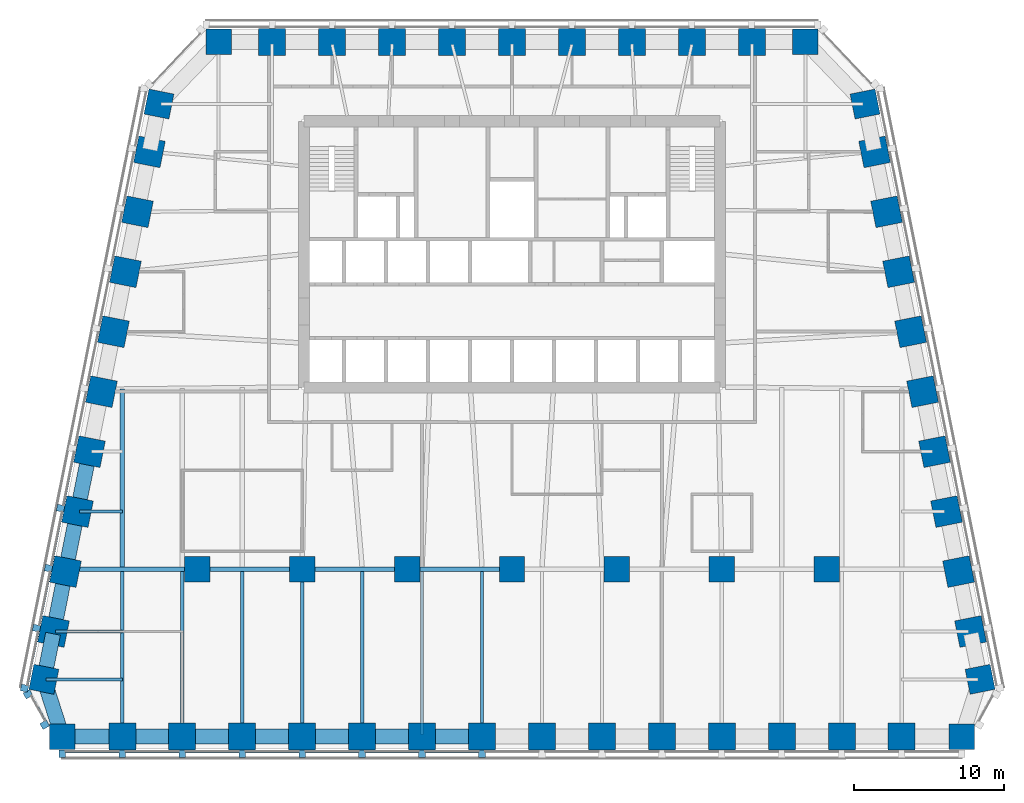
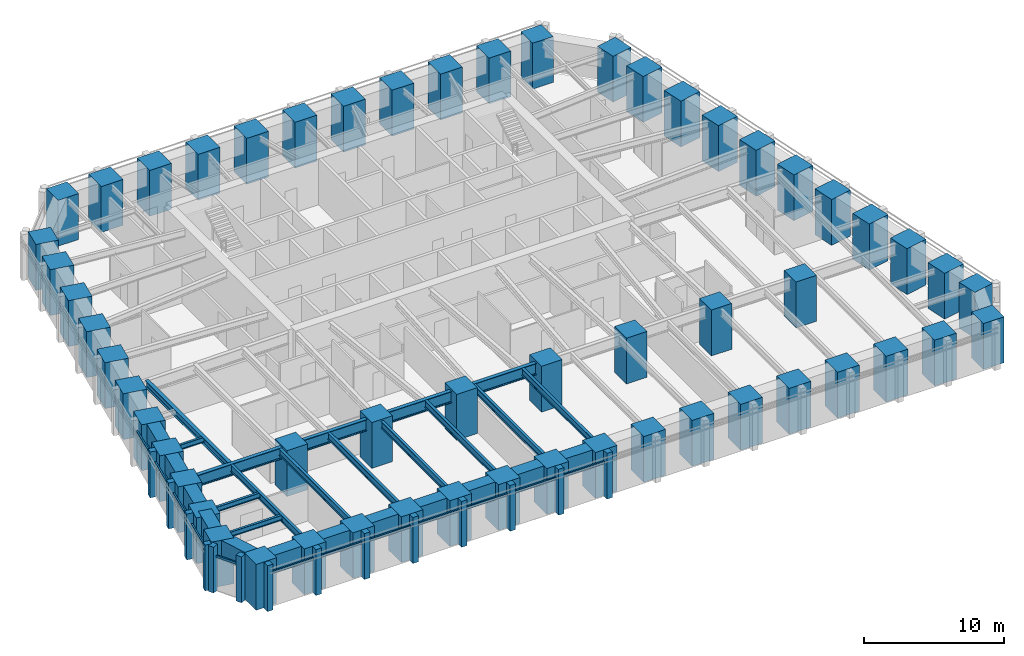
# One storey, part 1 of 10: 56 columns, 27 beams, 26 members, 3 elements without a shape of their own.
"""IFC4 building model written with IfcOpenShell, lengths in metres."""

from ifc_helpers import new_model, si_unit, direction, frame, origin, origin_2d, place, context, subcontext, project, spatial, rectangle, i_section, extrude, material, material_profile, profile_set, type_object, element, aggregate, save


model = new_model("IFC4")

# Units and contexts
model_context = context("Model", 3, precision=1e-05, world=origin(), true_north=direction((0.0, 1.0)))
body_context = subcontext(model_context, "Body", "Model", "MODEL_VIEW")
ifc_project = project(units=[si_unit("LENGTHUNIT", "METRE"), si_unit("AREAUNIT", "SQUARE_METRE"), si_unit("VOLUMEUNIT", "CUBIC_METRE"), si_unit("PLANEANGLEUNIT", "RADIAN"), si_unit("MASSUNIT", "GRAM", prefix="KILO")], contexts=[model_context])

# Site, building, storey
site_placement = place(None, origin())
site = spatial("IfcSite", under=ifc_project, at=site_placement, CompositionType="ELEMENT")
building_placement = place(site_placement, origin())
building = spatial("IfcBuilding", under=site, at=building_placement, Name="Isbrekke Arena Tower", CompositionType="ELEMENT")
storey_placement = place(building_placement, frame((0.0, 0.0, 155.0)))
storey = spatial("IfcBuildingStorey", under=building, at=storey_placement, Name="L35", CompositionType="ELEMENT", Elevation=155.0)

# Columns
ifc_material_1 = material(Name="Concrete B80 (C80/95)", Category="concrete")
ifc_material_profile_1 = material_profile(ifc_material_1, rectangle(XDim=1.699951171875, YDim=1.699951171875, at=origin_2d()), Name="RC 1700x1700")
ifc_profile_set_1 = profile_set([ifc_material_profile_1], Name="Concrete B80 (C80/95)")
column_type_1 = type_object("IfcColumnType", Name="C12 RC 1700 x 1700", PredefinedType="COLUMN", material=ifc_profile_set_1)
for number, where, z_axis, x_axis, name in (
    (1, (-21.0, -6.0, 0.0), (0.0, 0.0, 1.0), (1.0, 0.0, 0.0), "C12 I01"),
    (2, (-14.0, -6.0, 0.0), (0.0, 0.0, 1.0), (1.0, 0.0, 0.0), "C12 I02"),
    (3, (-7.0, -6.0, 0.0), (0.0, 0.0, 1.0), (1.0, 0.0, 0.0), "C12 I03"),
    (4, (0.0, -6.0, 0.0), (0.0, 0.0, 1.0), (1.0, 0.0, 0.0), "C12 I04"),
    (5, (7.0, -6.0, 0.0), (0.0, 0.0, 1.0), (1.0, 0.0, 0.0), "C12 I05"),
    (6, (14.0, -6.0, 0.0), (0.0, 0.0, 1.0), (1.0, 0.0, 0.0), "C12 I06"),
    (7, (21.0, -6.0, 0.0), (0.0, 0.0, 1.0), (1.0, 0.0, 0.0), "C12 I07"),
):
    element("IfcColumn", number, at=place(storey_placement, frame(where, z_axis=z_axis, x_axis=x_axis)), inside=storey, type_object=column_type_1, Name=name, PredefinedType="COLUMN", context=body_context, shape_type="SweptSolid", body=[
        extrude(rectangle(XDim=1.699951171875, YDim=1.699951171875, at=origin_2d()), origin(), (0.0, 0.0, 1.0), 4.0),
    ])
ifc_material_2 = material(Name="Concrete B80 (C80/95)", Category="concrete")
ifc_material_profile_2 = material_profile(ifc_material_2, rectangle(XDim=1.800048828125, YDim=1.800048828125, at=origin_2d()), Name="RC 1800x1800")
ifc_profile_set_2 = profile_set([ifc_material_profile_2], Name="Concrete B80 (C80/95)")
column_type_2 = type_object("IfcColumnType", Name="C3 RC 1800 x 1800", PredefinedType="COLUMN", material=ifc_profile_set_2)
for number, where, z_axis, x_axis, name in (
    (8, (-26.0, -17.175048828125, 0.0), (0.0, 0.0, 1.0), (1.0, 0.0, 0.0), "C3 S02"),
    (9, (-22.0, -17.175048828125, 0.0), (0.0, 0.0, 1.0), (1.0, 0.0, 0.0), "C3 S03"),
    (10, (-18.0, -17.175048828125, 0.0), (0.0, 0.0, 1.0), (1.0, 0.0, 0.0), "C3 S04"),
    (11, (-14.0, -17.175048828125, 0.0), (0.0, 0.0, 1.0), (1.0, 0.0, 0.0), "C3 S05"),
    (12, (-10.0, -17.175048828125, 0.0), (0.0, 0.0, 1.0), (1.0, 0.0, 0.0), "C3 S06"),
    (13, (-6.0, -17.175048828125, 0.0), (0.0, 0.0, 1.0), (1.0, 0.0, 0.0), "C3 S07"),
    (14, (-2.0, -17.175048828125, 0.0), (0.0, 0.0, 1.0), (1.0, 0.0, 0.0), "C3 S08"),
    (15, (2.0, -17.175048828125, 0.0), (0.0, 0.0, 1.0), (1.0, 0.0, 0.0), "C3 S09"),
    (16, (6.0, -17.175048828125, 0.0), (0.0, 0.0, 1.0), (1.0, 0.0, 0.0), "C3 S10"),
    (17, (10.0, -17.175048828125, 0.0), (0.0, 0.0, 1.0), (1.0, 0.0, 0.0), "C3 S11"),
    (18, (14.0, -17.175048828125, 0.0), (0.0, 0.0, 1.0), (1.0, 0.0, 0.0), "C3 S12"),
    (19, (18.0, -17.175048828125, 0.0), (0.0, 0.0, 1.0), (1.0, 0.0, 0.0), "C3 S13"),
    (20, (22.0, -17.175048828125, 0.0), (0.0, 0.0, 1.0), (1.0, 0.0, 0.0), "C3 S14"),
    (21, (26.0, -17.175048828125, 0.0), (0.0, 0.0, 1.0), (1.0, 0.0, 0.0), "C3 S15"),
    (22, (30.591064453125, -10.161865234375, 0.0), (0.0, 0.0, 1.0), (-0.196116135138, 0.980580675691, 0.0), "C3 E02"),
    (23, (29.791015625, -6.161865234375, 0.0), (0.0, 0.0, 1.0), (-0.196116135138, 0.980580675691, 0.0), "C3 E03"),
    (24, (28.990966796875, -2.161865234375, 0.0), (0.0, 0.0, 1.0), (-0.196116135138, 0.980580675691, 0.0), "C3 E04"),
    (25, (28.19091796875, 1.838134765625, 0.0), (0.0, 0.0, 1.0), (-0.196116135138, 0.980580675691, 0.0), "C3 E05"),
    (26, (27.39111328125, 5.838134765625, 0.0), (0.0, 0.0, 1.0), (-0.196116135138, 0.980580675691, 0.0), "C3 E06"),
    (27, (26.591064453125, 9.838134765625, 0.0), (0.0, 0.0, 1.0), (-0.196116135138, 0.980580675691, 0.0), "C3 E07"),
    (28, (25.791015625, 13.838134765625, 0.0), (0.0, 0.0, 1.0), (-0.196116135138, 0.980580675691, 0.0), "C3 E08"),
    (29, (24.990966796875, 17.838134765625, 0.0), (0.0, 0.0, 1.0), (-0.196116135138, 0.980580675691, 0.0), "C3 E09"),
    (30, (24.19091796875, 21.838134765625, 0.0), (0.0, 0.0, 1.0), (-0.196116135138, 0.980580675691, 0.0), "C3 E10"),
    (31, (16.0, 29.175048828125, 0.0), (0.0, 0.0, 1.0), (-1.0, 0.0, 0.0), "C3 N02"),
    (32, (12.0, 29.175048828125, 0.0), (0.0, 0.0, 1.0), (-1.0, 0.0, 0.0), "C3 N03"),
    (33, (8.0, 29.175048828125, 0.0), (0.0, 0.0, 1.0), (-1.0, 0.0, 0.0), "C3 N04"),
    (34, (4.0, 29.175048828125, 0.0), (0.0, 0.0, 1.0), (-1.0, 0.0, 0.0), "C3 N05"),
    (35, (0.0, 29.175048828125, 0.0), (0.0, 0.0, 1.0), (-1.0, 0.0, 0.0), "C3 N06"),
    (36, (-4.0, 29.175048828125, 0.0), (0.0, 0.0, 1.0), (-1.0, 0.0, 0.0), "C3 N07"),
    (37, (-8.0, 29.175048828125, 0.0), (0.0, 0.0, 1.0), (-1.0, 0.0, 0.0), "C3 N08"),
    (38, (-12.0, 29.175048828125, 0.0), (0.0, 0.0, 1.0), (-1.0, 0.0, 0.0), "C3 N09"),
    (39, (-16.0, 29.175048828125, 0.0), (0.0, 0.0, 1.0), (-1.0, 0.0, 0.0), "C3 N10"),
    (40, (-24.19091796875, 21.838134765625, 0.0), (0.0, 0.0, 1.0), (-0.196116135138, -0.980580675691, 0.0), "C3 W02"),
    (41, (-24.990966796875, 17.838134765625, 0.0), (0.0, 0.0, 1.0), (-0.196116135138, -0.980580675691, 0.0), "C3 W03"),
    (42, (-25.791015625, 13.838134765625, 0.0), (0.0, 0.0, 1.0), (-0.196116135138, -0.980580675691, 0.0), "C3 W04"),
    (43, (-26.591064453125, 9.838134765625, 0.0), (0.0, 0.0, 1.0), (-0.196116135138, -0.980580675691, 0.0), "C3 W05"),
    (44, (-27.39111328125, 5.838134765625, 0.0), (0.0, 0.0, 1.0), (-0.196116135138, -0.980580675691, 0.0), "C3 W06"),
    (45, (-28.19091796875, 1.838134765625, 0.0), (0.0, 0.0, 1.0), (-0.196116135138, -0.980580675691, 0.0), "C3 W07"),
    (46, (-28.990966796875, -2.161865234375, 0.0), (0.0, 0.0, 1.0), (-0.196116135138, -0.980580675691, 0.0), "C3 W08"),
    (47, (-29.791015625, -6.161865234375, 0.0), (0.0, 0.0, 1.0), (-0.196116135138, -0.980580675691, 0.0), "C3 W09"),
    (48, (-30.591064453125, -10.161865234375, 0.0), (0.0, 0.0, 1.0), (-0.196116135138, -0.980580675691, 0.0), "C3 W10"),
):
    element("IfcColumn", number, at=place(storey_placement, frame(where, z_axis=z_axis, x_axis=x_axis)), inside=storey, type_object=column_type_2, Name=name, PredefinedType="COLUMN", context=body_context, shape_type="SweptSolid", body=[
        extrude(rectangle(XDim=1.800048828125, YDim=1.800048828125, at=origin_2d()), origin(), (0.0, 0.0, 1.0), 4.0),
    ])
ifc_material_3 = material(Name="Concrete B80 (C80/95)", Category="concrete")
ifc_material_profile_3 = material_profile(ifc_material_3, rectangle(XDim=1.699951171875, YDim=1.699951171875, at=origin_2d()), Name="RC 1700x1700")
ifc_profile_set_3 = profile_set([ifc_material_profile_3], Name="Concrete B80 (C80/95)")
column_type_3 = type_object("IfcColumnType", Name="C7 RC 1700 x 1700", PredefinedType="COLUMN", material=ifc_profile_set_3)
for number, where, z_axis, x_axis, name in (
    (49, (-30.0, -17.175048828125, 0.0), (0.0, 0.0, 1.0), (1.0, 0.0, 0.0), "C7 S01"),
    (50, (30.0, -17.175048828125, 0.0), (0.0, 0.0, 1.0), (1.0, 0.0, 0.0), "C7 S16"),
    (51, (31.229248046875, -13.352783203125, 0.0), (0.0, 0.0, 1.0), (-0.196116135138, 0.980580675691, 0.0), "C7 E01"),
    (52, (23.552734375, 25.029296875, 0.0), (0.0, 0.0, 1.0), (-0.196116135138, 0.980580675691, 0.0), "C7 E11"),
    (53, (19.574951171875, 29.175048828125, 0.0), (0.0, 0.0, 1.0), (-1.0, 0.0, 0.0), "C7 N01"),
    (54, (-19.574951171875, 29.175048828125, 0.0), (0.0, 0.0, 1.0), (-1.0, 0.0, 0.0), "C7 N11"),
    (55, (-23.552734375, 25.029296875, 0.0), (0.0, 0.0, 1.0), (-0.196116135138, -0.980580675691, 0.0), "C7 W01"),
    (56, (-31.229248046875, -13.352783203125, 0.0), (0.0, 0.0, 1.0), (-0.196116135138, -0.980580675691, 0.0), "C7 W11"),
):
    element("IfcColumn", number, at=place(storey_placement, frame(where, z_axis=z_axis, x_axis=x_axis)), inside=storey, type_object=column_type_3, Name=name, PredefinedType="COLUMN", context=body_context, shape_type="SweptSolid", body=[
        extrude(rectangle(XDim=1.699951171875, YDim=1.699951171875, at=origin_2d()), origin(), (0.0, 0.0, 1.0), 4.0),
    ])

# Beams
ifc_material_4 = material(Name="Steel S355", Category="steel")
ifc_material_profile_4 = material_profile(ifc_material_4, i_section(OverallWidth=0.219970703125, OverallDepth=0.60009765625, WebThickness=0.011962890625, FlangeThickness=0.01904296875, FilletRadius=0.02392578125, at=origin_2d()), Name="IPE 600")
ifc_profile_set_4 = profile_set([ifc_material_profile_4], Name="Steel S355")
beam_type_1 = type_object("IfcBeamType", Name="B1 IPE 600", PredefinedType="BEAM", material=ifc_profile_set_4)
for number, where, z_axis, x_axis, name in (
    (57, (-26.0, -17.02490234375, 3.550048828125), (0.0, 1.0, 0.0), (-1.0, 0.0, 0.0), "B1 beam S-S02 L35"),
    (58, (-22.0, -17.02490234375, 3.550048828125), (0.0, 1.0, 0.0), (-1.0, 0.0, 0.0), "B1 beam S-S03 L35"),
    (59, (-18.0, -17.02490234375, 3.550048828125), (0.0, 1.0, 0.0), (-1.0, 0.0, 0.0), "B1 beam S-S04 L35"),
):
    element("IfcBeam", number, at=place(storey_placement, frame(where, z_axis=z_axis, x_axis=x_axis)), inside=storey, type_object=beam_type_1, Name=name, PredefinedType="BEAM", context=body_context, shape_type="SweptSolid", body=[
        extrude(i_section(OverallWidth=0.219970703125, OverallDepth=0.60009765625, WebThickness=0.011962890625, FlangeThickness=0.01904296875, FilletRadius=0.02392578125, at=origin_2d()), origin(), (0.0, 0.0, 1.0), 10.8740234375),
    ])
beam_1_placement = place(storey_placement, frame((-14.0, -17.02490234375, 3.550048828125), z_axis=(0.0, 1.0, 0.0), x_axis=(-1.0, 0.0, 0.0)))
element("IfcBeam", 60, at=beam_1_placement, inside=storey, type_object=beam_type_1, Name="B1 beam S-S05 L35", PredefinedType="BEAM", context=body_context, shape_type="SweptSolid", body=[
    extrude(i_section(OverallWidth=0.219970703125, OverallDepth=0.60009765625, WebThickness=0.011962890625, FlangeThickness=0.01904296875, FilletRadius=0.02392578125, at=origin_2d()), origin(), (0.0, 0.0, 1.0), 10.875),
])
for number, where, z_axis, x_axis, name in (
    (61, (-10.0, -17.02490234375, 3.550048828125), (0.0, 1.0, 0.0), (-1.0, 0.0, 0.0), "B1 beam S-S06 L35"),
    (62, (-6.0, -17.02490234375, 3.550048828125), (0.0, 1.0, 0.0), (-1.0, 0.0, 0.0), "B1 beam S-S07 L35"),
    (63, (-2.0, -17.02490234375, 3.550048828125), (0.0, 1.0, 0.0), (-1.0, 0.0, 0.0), "B1 beam S-S08 L35"),
):
    element("IfcBeam", number, at=place(storey_placement, frame(where, z_axis=z_axis, x_axis=x_axis)), inside=storey, type_object=beam_type_1, Name=name, PredefinedType="BEAM", context=body_context, shape_type="SweptSolid", body=[
        extrude(i_section(OverallWidth=0.219970703125, OverallDepth=0.60009765625, WebThickness=0.011962890625, FlangeThickness=0.01904296875, FilletRadius=0.02392578125, at=origin_2d()), origin(), (0.0, 0.0, 1.0), 10.8740234375),
    ])
ifc_material_5 = material(Name="Steel S355", Category="steel")
ifc_material_profile_5 = material_profile(ifc_material_5, i_section(OverallWidth=0.18994140625, OverallDepth=0.449951171875, WebThickness=0.009521484375, FlangeThickness=0.0146484375, FilletRadius=0.02099609375, at=origin_2d()), Name="IPE 450")
ifc_profile_set_5 = profile_set([ifc_material_profile_5], Name="Steel S355")
beam_type_2 = type_object("IfcBeamType", Name="B2 IPE 450", PredefinedType="BEAM", material=ifc_profile_set_5)
beam_2_placement = place(storey_placement, frame((-28.841064453125, -2.161865234375, 3.625), z_axis=(1.0, 0.0, 0.0), x_axis=(0.0, 1.0, 0.0)))
element("IfcBeam", 64, at=beam_2_placement, inside=storey, type_object=beam_type_2, Name="B2 beam E-W08 L35", PredefinedType="BEAM", context=body_context, shape_type="SweptSolid", body=[
    extrude(i_section(OverallWidth=0.18994140625, OverallDepth=0.449951171875, WebThickness=0.009521484375, FlangeThickness=0.0146484375, FilletRadius=0.02099609375, at=origin_2d()), origin(), (0.0, 0.0, 1.0), 2.841064453125),
])
beam_3_placement = place(storey_placement, frame((-30.44091796875, -10.161865234375, 3.625), z_axis=(1.0, 0.0, 0.0), x_axis=(0.0, 1.0, 0.0)))
element("IfcBeam", 65, at=beam_3_placement, inside=storey, type_object=beam_type_2, Name="B2 beam E-W10 L35", PredefinedType="BEAM", context=body_context, shape_type="SweptSolid", body=[
    extrude(i_section(OverallWidth=0.18994140625, OverallDepth=0.449951171875, WebThickness=0.009521484375, FlangeThickness=0.0146484375, FilletRadius=0.02099609375, at=origin_2d()), origin(), (0.0, 0.0, 1.0), 4.44091796875),
])
beam_4_placement = place(storey_placement, frame((-31.079345703125, -13.352783203125, 3.625), z_axis=(1.0, 0.0, 0.0), x_axis=(0.0, 1.0, 0.0)))
element("IfcBeam", 66, at=beam_4_placement, inside=storey, type_object=beam_type_2, Name="B2 beam E-W11 L35", PredefinedType="BEAM", context=body_context, shape_type="SweptSolid", body=[
    extrude(i_section(OverallWidth=0.18994140625, OverallDepth=0.449951171875, WebThickness=0.009521484375, FlangeThickness=0.0146484375, FilletRadius=0.02099609375, at=origin_2d()), origin(), (0.0, 0.0, 1.0), 5.079345703125),
])
ifc_material_6 = material(Name="Steel S355", Category="steel")
ifc_material_profile_6 = material_profile(ifc_material_6, i_section(OverallWidth=0.300048828125, OverallDepth=0.60009765625, WebThickness=0.015380859375, FlangeThickness=0.030029296875, FilletRadius=0.027099609375, at=origin_2d()), Name="HEB 600")
ifc_profile_set_6 = profile_set([ifc_material_profile_6], Name="Steel S355")
beam_type_3 = type_object("IfcBeamType", Name="B7 HEB 600", PredefinedType="BEAM", material=ifc_profile_set_6)
beam_5_placement = place(storey_placement, frame((-26.0, -5.84912109375, 3.550048828125), z_axis=(0.0, 1.0, 0.0), x_axis=(-1.0, 0.0, 0.0)))
element("IfcBeam", 67, at=beam_5_placement, inside=storey, type_object=beam_type_3, Name="B7 beam C-M01 L35", PredefinedType="BEAM", context=body_context, shape_type="SweptSolid", body=[
    extrude(i_section(OverallWidth=0.300048828125, OverallDepth=0.60009765625, WebThickness=0.015380859375, FlangeThickness=0.030029296875, FilletRadius=0.027099609375, at=origin_2d()), origin(), (0.0, 0.0, 1.0), 11.864990234375),
])

# Curtain wall, members
ifc_material_7 = material(Name="Glazed aluminium curtain wall", Category="aluminium")
curtain_wall_type = type_object("IfcCurtainWallType", Name="CWM TOWER CURTAIN WALL MID ZONE", PredefinedType="USERDEFINED", material=ifc_material_7)
curtain_wall_1_placement = place(storey_placement, origin())
curtain_wall_1 = element("IfcCurtainWall", 68, at=curtain_wall_1_placement, inside=storey, type_object=curtain_wall_type, Name="CWM curtain wall L35-S", ObjectType="TOWER CURTAIN WALL MID ZONE", PredefinedType="USERDEFINED")
ifc_material_8 = material(Name="Aluminium mullion, pale brick slip cladding", Category="masonry")
ifc_material_profile_7 = material_profile(ifc_material_8, rectangle(XDim=0.449951171875, YDim=0.5, at=origin_2d()), Name="PIER 450X500")
ifc_profile_set_7 = profile_set([ifc_material_profile_7], Name="Aluminium mullion, pale brick slip cladding")
member_type_1 = type_object("IfcMemberType", Name="CWM-M PIER MULLION 450 x 500", PredefinedType="MULLION", material=ifc_profile_set_7)
member_1_placement = place(storey_placement, frame((-30.0, -18.324951171875, 0.0), z_axis=(0.0, 0.0, 1.0), x_axis=(1.0, 0.0, 0.0)))
member_1 = element("IfcMember", 69, at=member_1_placement, type_object=member_type_1, Name="CWM-M mullion 1", PredefinedType="MULLION", context=body_context, shape_type="SweptSolid", body=[
    extrude(rectangle(XDim=0.449951171875, YDim=0.5, at=origin_2d()), origin(), (0.0, 0.0, 1.0), 4.0),
])
member_2_placement = place(storey_placement, frame((-26.0, -18.324951171875, 0.0), z_axis=(0.0, 0.0, 1.0), x_axis=(1.0, 0.0, 0.0)))
member_2 = element("IfcMember", 70, at=member_2_placement, type_object=member_type_1, Name="CWM-M mullion 2", PredefinedType="MULLION", context=body_context, shape_type="SweptSolid", body=[
    extrude(rectangle(XDim=0.449951171875, YDim=0.5, at=origin_2d()), origin(), (0.0, 0.0, 1.0), 4.0),
])
member_3_placement = place(storey_placement, frame((-22.0, -18.324951171875, 0.0), z_axis=(0.0, 0.0, 1.0), x_axis=(1.0, 0.0, 0.0)))
member_3 = element("IfcMember", 71, at=member_3_placement, type_object=member_type_1, Name="CWM-M mullion 3", PredefinedType="MULLION", context=body_context, shape_type="SweptSolid", body=[
    extrude(rectangle(XDim=0.449951171875, YDim=0.5, at=origin_2d()), origin(), (0.0, 0.0, 1.0), 4.0),
])
member_4_placement = place(storey_placement, frame((-18.0, -18.324951171875, 0.0), z_axis=(0.0, 0.0, 1.0), x_axis=(1.0, 0.0, 0.0)))
member_4 = element("IfcMember", 72, at=member_4_placement, type_object=member_type_1, Name="CWM-M mullion 4", PredefinedType="MULLION", context=body_context, shape_type="SweptSolid", body=[
    extrude(rectangle(XDim=0.449951171875, YDim=0.5, at=origin_2d()), origin(), (0.0, 0.0, 1.0), 4.0),
])
member_5_placement = place(storey_placement, frame((-14.0, -18.324951171875, 0.0), z_axis=(0.0, 0.0, 1.0), x_axis=(1.0, 0.0, 0.0)))
member_5 = element("IfcMember", 73, at=member_5_placement, type_object=member_type_1, Name="CWM-M mullion 5", PredefinedType="MULLION", context=body_context, shape_type="SweptSolid", body=[
    extrude(rectangle(XDim=0.449951171875, YDim=0.5, at=origin_2d()), origin(), (0.0, 0.0, 1.0), 4.0),
])
member_6_placement = place(storey_placement, frame((-10.0, -18.324951171875, 0.0), z_axis=(0.0, 0.0, 1.0), x_axis=(1.0, 0.0, 0.0)))
member_6 = element("IfcMember", 74, at=member_6_placement, type_object=member_type_1, Name="CWM-M mullion 6", PredefinedType="MULLION", context=body_context, shape_type="SweptSolid", body=[
    extrude(rectangle(XDim=0.449951171875, YDim=0.5, at=origin_2d()), origin(), (0.0, 0.0, 1.0), 4.0),
])
member_7_placement = place(storey_placement, frame((-6.0, -18.324951171875, 0.0), z_axis=(0.0, 0.0, 1.0), x_axis=(1.0, 0.0, 0.0)))
member_7 = element("IfcMember", 75, at=member_7_placement, type_object=member_type_1, Name="CWM-M mullion 7", PredefinedType="MULLION", context=body_context, shape_type="SweptSolid", body=[
    extrude(rectangle(XDim=0.449951171875, YDim=0.5, at=origin_2d()), origin(), (0.0, 0.0, 1.0), 4.0),
])
member_8_placement = place(storey_placement, frame((-2.0, -18.324951171875, 0.0), z_axis=(0.0, 0.0, 1.0), x_axis=(1.0, 0.0, 0.0)))
member_8 = element("IfcMember", 76, at=member_8_placement, type_object=member_type_1, Name="CWM-M mullion 8", PredefinedType="MULLION", context=body_context, shape_type="SweptSolid", body=[
    extrude(rectangle(XDim=0.449951171875, YDim=0.5, at=origin_2d()), origin(), (0.0, 0.0, 1.0), 4.0),
])

curtain_wall_2_placement = place(storey_placement, origin())
curtain_wall_2 = element("IfcCurtainWall", 77, at=curtain_wall_2_placement, inside=storey, type_object=curtain_wall_type, Name="CWM curtain wall L35-W", ObjectType="TOWER CURTAIN WALL MID ZONE", PredefinedType="USERDEFINED")
member_9_placement = place(storey_placement, frame((-30.11865234375, -1.936279296875, 0.0), z_axis=(0.0, 0.0, 1.0), x_axis=(-0.196116135138, -0.980580675691, 0.0)))
member_9 = element("IfcMember", 78, at=member_9_placement, type_object=member_type_1, Name="CWM-M mullion 8", PredefinedType="MULLION", context=body_context, shape_type="SweptSolid", body=[
    extrude(rectangle(XDim=0.449951171875, YDim=0.5, at=origin_2d()), origin(), (0.0, 0.0, 1.0), 4.0),
])
member_10_placement = place(storey_placement, frame((-30.918701171875, -5.936279296875, 0.0), z_axis=(0.0, 0.0, 1.0), x_axis=(-0.196116135138, -0.980580675691, 0.0)))
member_10 = element("IfcMember", 79, at=member_10_placement, type_object=member_type_1, Name="CWM-M mullion 9", PredefinedType="MULLION", context=body_context, shape_type="SweptSolid", body=[
    extrude(rectangle(XDim=0.449951171875, YDim=0.5, at=origin_2d()), origin(), (0.0, 0.0, 1.0), 4.0),
])
member_11_placement = place(storey_placement, frame((-31.71875, -9.936279296875, 0.0), z_axis=(0.0, 0.0, 1.0), x_axis=(-0.196116135138, -0.980580675691, 0.0)))
member_11 = element("IfcMember", 80, at=member_11_placement, type_object=member_type_1, Name="CWM-M mullion 10", PredefinedType="MULLION", context=body_context, shape_type="SweptSolid", body=[
    extrude(rectangle(XDim=0.449951171875, YDim=0.5, at=origin_2d()), origin(), (0.0, 0.0, 1.0), 4.0),
])
member_12_placement = place(storey_placement, frame((-32.518798828125, -13.936279296875, 0.0), z_axis=(0.0, 0.0, 1.0), x_axis=(-0.196116135138, -0.980580675691, 0.0)))
member_12 = element("IfcMember", 81, at=member_12_placement, type_object=member_type_1, Name="CWM-M mullion 11", PredefinedType="MULLION", context=body_context, shape_type="SweptSolid", body=[
    extrude(rectangle(XDim=0.449951171875, YDim=0.5, at=origin_2d()), origin(), (0.0, 0.0, 1.0), 4.0),
])

curtain_wall_3_placement = place(storey_placement, origin())
curtain_wall_3 = element("IfcCurtainWall", 82, at=curtain_wall_3_placement, inside=storey, type_object=curtain_wall_type, Name="CWM curtain wall L35-WS", ObjectType="TOWER CURTAIN WALL MID ZONE", PredefinedType="USERDEFINED")
member_13_placement = place(storey_placement, frame((-32.29638671875, -14.34326171875, 0.0), z_axis=(0.0, 0.0, 1.0), x_axis=(0.481918749773, -0.876215908676, 0.0)))
member_13 = element("IfcMember", 83, at=member_13_placement, type_object=member_type_1, Name="CWM-M mullion 1", PredefinedType="MULLION", context=body_context, shape_type="SweptSolid", body=[
    extrude(rectangle(XDim=0.449951171875, YDim=0.5, at=origin_2d()), origin(), (0.0, 0.0, 1.0), 4.0),
])
member_14_placement = place(storey_placement, frame((-31.174560546875, -16.38330078125, 0.0), z_axis=(0.0, 0.0, 1.0), x_axis=(0.481918749773, -0.876215908676, 0.0)))
member_14 = element("IfcMember", 84, at=member_14_placement, type_object=member_type_1, Name="CWM-M mullion 2", PredefinedType="MULLION", context=body_context, shape_type="SweptSolid", body=[
    extrude(rectangle(XDim=0.449951171875, YDim=0.5, at=origin_2d()), origin(), (0.0, 0.0, 1.0), 4.0),
])

# Member
ifc_material_9 = material(Name="Aluminium transom", Category="aluminium")
ifc_material_profile_8 = material_profile(ifc_material_9, rectangle(XDim=0.1201171875, YDim=0.199951171875, at=origin_2d()), Name="TRANSOM 120X200")
ifc_profile_set_8 = profile_set([ifc_material_profile_8], Name="Aluminium transom")
member_type_2 = type_object("IfcMemberType", Name="CWM-T TRANSOM 120 x 200", PredefinedType="USERDEFINED", material=ifc_profile_set_8)
member_15_placement = place(storey_placement, frame((-29.77490234375, -18.175048828125, 3.0), z_axis=(1.0, 0.0, 0.0), x_axis=(0.0, 1.0, 0.0)))
member_15 = element("IfcMember", 85, at=member_15_placement, type_object=member_type_2, Name="CWM-T transom 1", ObjectType="TRANSOM", PredefinedType="USERDEFINED", context=body_context, shape_type="SweptSolid", body=[
    extrude(rectangle(XDim=0.1201171875, YDim=0.199951171875, at=origin_2d()), origin(), (0.0, 0.0, 1.0), 3.5498046875),
])

member_16_placement = place(storey_placement, frame((-25.77490234375, -18.175048828125, 3.0), z_axis=(1.0, 0.0, 0.0), x_axis=(0.0, 1.0, 0.0)))
member_16 = element("IfcMember", 86, at=member_16_placement, type_object=member_type_2, Name="CWM-T transom 2", ObjectType="TRANSOM", PredefinedType="USERDEFINED", context=body_context, shape_type="SweptSolid", body=[
    extrude(rectangle(XDim=0.1201171875, YDim=0.199951171875, at=origin_2d()), origin(), (0.0, 0.0, 1.0), 3.5498046875),
])

member_17_placement = place(storey_placement, frame((-21.77490234375, -18.175048828125, 3.0), z_axis=(1.0, 0.0, 0.0), x_axis=(0.0, 1.0, 0.0)))
member_17 = element("IfcMember", 87, at=member_17_placement, type_object=member_type_2, Name="CWM-T transom 3", ObjectType="TRANSOM", PredefinedType="USERDEFINED", context=body_context, shape_type="SweptSolid", body=[
    extrude(rectangle(XDim=0.1201171875, YDim=0.199951171875, at=origin_2d()), origin(), (0.0, 0.0, 1.0), 3.5498046875),
])

member_18_placement = place(storey_placement, frame((-17.77490234375, -18.175048828125, 3.0), z_axis=(1.0, 0.0, 0.0), x_axis=(0.0, 1.0, 0.0)))
member_18 = element("IfcMember", 88, at=member_18_placement, type_object=member_type_2, Name="CWM-T transom 4", ObjectType="TRANSOM", PredefinedType="USERDEFINED", context=body_context, shape_type="SweptSolid", body=[
    extrude(rectangle(XDim=0.1201171875, YDim=0.199951171875, at=origin_2d()), origin(), (0.0, 0.0, 1.0), 3.5498046875),
])

member_19_placement = place(storey_placement, frame((-13.77490234375, -18.175048828125, 3.0), z_axis=(1.0, 0.0, 0.0), x_axis=(0.0, 1.0, 0.0)))
member_19 = element("IfcMember", 89, at=member_19_placement, type_object=member_type_2, Name="CWM-T transom 5", ObjectType="TRANSOM", PredefinedType="USERDEFINED", context=body_context, shape_type="SweptSolid", body=[
    extrude(rectangle(XDim=0.1201171875, YDim=0.199951171875, at=origin_2d()), origin(), (0.0, 0.0, 1.0), 3.5498046875),
])

member_20_placement = place(storey_placement, frame((-9.77490234375, -18.175048828125, 3.0), z_axis=(1.0, 0.0, 0.0), x_axis=(0.0, 1.0, 0.0)))
member_20 = element("IfcMember", 90, at=member_20_placement, type_object=member_type_2, Name="CWM-T transom 6", ObjectType="TRANSOM", PredefinedType="USERDEFINED", context=body_context, shape_type="SweptSolid", body=[
    extrude(rectangle(XDim=0.1201171875, YDim=0.199951171875, at=origin_2d()), origin(), (0.0, 0.0, 1.0), 3.5498046875),
])

member_21_placement = place(storey_placement, frame((-5.77490234375, -18.175048828125, 3.0), z_axis=(1.0, 0.0, 0.0), x_axis=(0.0, 1.0, 0.0)))
member_21 = element("IfcMember", 91, at=member_21_placement, type_object=member_type_2, Name="CWM-T transom 7", ObjectType="TRANSOM", PredefinedType="USERDEFINED", context=body_context, shape_type="SweptSolid", body=[
    extrude(rectangle(XDim=0.1201171875, YDim=0.199951171875, at=origin_2d()), origin(), (0.0, 0.0, 1.0), 3.5498046875),
])

aggregate(curtain_wall_1, [member_1, member_2, member_3, member_4, member_5, member_6, member_7, member_8, member_15, member_16, member_17, member_18, member_19, member_20, member_21])

member_22_placement = place(storey_placement, frame((-29.2158203125, 1.813720703125, 3.0), z_axis=(-0.196090262229, -0.980585849918, 0.0), x_axis=(0.980585849918, -0.196090262229, 0.0)))
member_22 = element("IfcMember", 92, at=member_22_placement, type_object=member_type_2, Name="CWM-T transom 7", ObjectType="TRANSOM", PredefinedType="USERDEFINED", context=body_context, shape_type="SweptSolid", body=[
    extrude(rectangle(XDim=0.1201171875, YDim=0.199951171875, at=origin_2d()), origin(), (0.0, 0.0, 1.0), 3.62939453125),
])

member_23_placement = place(storey_placement, frame((-30.015625, -2.186279296875, 3.0), z_axis=(-0.196154943734, -0.980572913173, 0.0), x_axis=(0.980572913173, -0.196154943734, 0.0)))
member_23 = element("IfcMember", 93, at=member_23_placement, type_object=member_type_2, Name="CWM-T transom 8", ObjectType="TRANSOM", PredefinedType="USERDEFINED", context=body_context, shape_type="SweptSolid", body=[
    extrude(rectangle(XDim=0.1201171875, YDim=0.199951171875, at=origin_2d()), origin(), (0.0, 0.0, 1.0), 3.62939453125),
])

member_24_placement = place(storey_placement, frame((-30.815673828125, -6.186279296875, 3.0), z_axis=(-0.196154943734, -0.980572913173, 0.0), x_axis=(0.980572913173, -0.196154943734, 0.0)))
member_24 = element("IfcMember", 94, at=member_24_placement, type_object=member_type_2, Name="CWM-T transom 9", ObjectType="TRANSOM", PredefinedType="USERDEFINED", context=body_context, shape_type="SweptSolid", body=[
    extrude(rectangle(XDim=0.1201171875, YDim=0.199951171875, at=origin_2d()), origin(), (0.0, 0.0, 1.0), 3.62939453125),
])

member_25_placement = place(storey_placement, frame((-31.61572265625, -10.186279296875, 3.0), z_axis=(-0.196090262229, -0.980585849918, 0.0), x_axis=(0.980585849918, -0.196090262229, 0.0)))
member_25 = element("IfcMember", 95, at=member_25_placement, type_object=member_type_2, Name="CWM-T transom 10", ObjectType="TRANSOM", PredefinedType="USERDEFINED", context=body_context, shape_type="SweptSolid", body=[
    extrude(rectangle(XDim=0.1201171875, YDim=0.199951171875, at=origin_2d()), origin(), (0.0, 0.0, 1.0), 3.62939453125),
])

aggregate(curtain_wall_2, [member_9, member_10, member_11, member_12, member_22, member_23, member_24, member_25])

member_26_placement = place(storey_placement, frame((-32.056640625, -14.46826171875, 3.0), z_axis=(0.481918749772, -0.876215908677, 0.0), x_axis=(0.876215908677, 0.481918749772, 0.0)))
member_26 = element("IfcMember", 96, at=member_26_placement, type_object=member_type_2, Name="CWM-T transom 1", ObjectType="TRANSOM", PredefinedType="USERDEFINED", context=body_context, shape_type="SweptSolid", body=[
    extrude(rectangle(XDim=0.1201171875, YDim=0.199951171875, at=origin_2d()), origin(), (0.0, 0.0, 1.0), 1.8779296875),
])

aggregate(curtain_wall_3, [member_13, member_14, member_26])

# Beams
ifc_material_10 = material(Name="Steel S355", Category="steel")
ifc_material_profile_9 = material_profile(ifc_material_10, i_section(OverallWidth=0.302001953125, OverallDepth=1.008056640625, WebThickness=0.02099609375, FlangeThickness=0.0400390625, FilletRadius=0.030029296875, at=origin_2d()), Name="HEM 1000")
ifc_profile_set_9 = profile_set([ifc_material_profile_9], Name="Steel S355")
beam_type_4 = type_object("IfcBeamType", Name="G1 HEM 1000", PredefinedType="BEAM", material=ifc_profile_set_9)
beam_6_placement = place(storey_placement, frame((-29.791015625, -6.0, 3.345947265625), z_axis=(1.0, 0.0, 0.0), x_axis=(0.0, 1.0, 0.0)))
element("IfcBeam", 97, at=beam_6_placement, inside=storey, type_object=beam_type_4, Name="G1 beam G1-01 L35", PredefinedType="BEAM", context=body_context, shape_type="SweptSolid", body=[
    extrude(i_section(OverallWidth=0.302001953125, OverallDepth=1.008056640625, WebThickness=0.02099609375, FlangeThickness=0.0400390625, FilletRadius=0.030029296875, at=origin_2d()), origin(), (0.0, 0.0, 1.0), 8.64111328125),
])
for number, where, z_axis, x_axis, name in (
    (98, (-20.85009765625, -6.0, 3.345947265625), (1.0, 0.0, 0.0), (0.0, 1.0, 0.0), "G1 beam G1-02 L35"),
    (99, (-13.85009765625, -6.0, 3.345947265625), (1.0, 0.0, 0.0), (0.0, 1.0, 0.0), "G1 beam G1-03 L35"),
    (100, (-6.85009765625, -6.0, 3.345947265625), (1.0, 0.0, 0.0), (0.0, 1.0, 0.0), "G1 beam G1-04 L35"),
):
    element("IfcBeam", number, at=place(storey_placement, frame(where, z_axis=z_axis, x_axis=x_axis)), inside=storey, type_object=beam_type_4, Name=name, PredefinedType="BEAM", context=body_context, shape_type="SweptSolid", body=[
        extrude(i_section(OverallWidth=0.302001953125, OverallDepth=1.008056640625, WebThickness=0.02099609375, FlangeThickness=0.0400390625, FilletRadius=0.030029296875, at=origin_2d()), origin(), (0.0, 0.0, 1.0), 6.7001953125),
    ])
ifc_material_11 = material(Name="Concrete B80 (C80/95)", Category="concrete")
ifc_material_profile_10 = material_profile(ifc_material_11, rectangle(XDim=1.0, YDim=1.60009765625, at=origin_2d()), Name="RC 1000x1600")
ifc_profile_set_10 = profile_set([ifc_material_profile_10], Name="Concrete B80 (C80/95)")
beam_type_5 = type_object("IfcBeamType", Name="SB2 RC 1000 x 1600", PredefinedType="SPANDREL", material=ifc_profile_set_10)
for number, where, z_axis, x_axis, name in (
    (101, (-29.85009765625, -17.175048828125, 3.199951171875), (1.0, 0.0, 0.0), (0.0, 1.0, 0.0), "SB2 spandrel S01-S02 L35"),
    (102, (-25.85009765625, -17.175048828125, 3.199951171875), (1.0, 0.0, 0.0), (0.0, 1.0, 0.0), "SB2 spandrel S02-S03 L35"),
    (103, (-21.85009765625, -17.175048828125, 3.199951171875), (1.0, 0.0, 0.0), (0.0, 1.0, 0.0), "SB2 spandrel S03-S04 L35"),
    (104, (-17.85009765625, -17.175048828125, 3.199951171875), (1.0, 0.0, 0.0), (0.0, 1.0, 0.0), "SB2 spandrel S04-S05 L35"),
    (105, (-13.85009765625, -17.175048828125, 3.199951171875), (1.0, 0.0, 0.0), (0.0, 1.0, 0.0), "SB2 spandrel S05-S06 L35"),
    (106, (-9.85009765625, -17.175048828125, 3.199951171875), (1.0, 0.0, 0.0), (0.0, 1.0, 0.0), "SB2 spandrel S06-S07 L35"),
    (107, (-5.85009765625, -17.175048828125, 3.199951171875), (1.0, 0.0, 0.0), (0.0, 1.0, 0.0), "SB2 spandrel S07-S08 L35"),
):
    element("IfcBeam", number, at=place(storey_placement, frame(where, z_axis=z_axis, x_axis=x_axis)), inside=storey, type_object=beam_type_5, Name=name, PredefinedType="SPANDREL", context=body_context, shape_type="SweptSolid", body=[
        extrude(rectangle(XDim=1.0, YDim=1.60009765625, at=origin_2d()), origin(), (0.0, 0.0, 1.0), 3.7001953125),
    ])
for number, where, z_axis, x_axis, name in (
    (108, (-28.220458984375, 1.691162109375, 3.199951171875), (-0.196128558387, -0.980578190959, 0.0), (0.980578190959, -0.196128558387, 0.0), "SB2 spandrel W07-W08 L35"),
    (109, (-29.0205078125, -2.308837890625, 3.199951171875), (-0.196128558387, -0.980578190959, 0.0), (0.980578190959, -0.196128558387, 0.0), "SB2 spandrel W08-W09 L35"),
):
    element("IfcBeam", number, at=place(storey_placement, frame(where, z_axis=z_axis, x_axis=x_axis)), inside=storey, type_object=beam_type_5, Name=name, PredefinedType="SPANDREL", context=body_context, shape_type="SweptSolid", body=[
        extrude(rectangle(XDim=1.0, YDim=1.60009765625, at=origin_2d()), origin(), (0.0, 0.0, 1.0), 3.779296875),
    ])
beam_7_placement = place(storey_placement, frame((-29.820556640625, -6.308837890625, 3.199951171875), z_axis=(-0.1960664412, -0.980590613169, 0.0), x_axis=(0.980590613169, -0.1960664412, 0.0)))
element("IfcBeam", 110, at=beam_7_placement, inside=storey, type_object=beam_type_5, Name="SB2 spandrel W09-W10 L35", PredefinedType="SPANDREL", context=body_context, shape_type="SweptSolid", body=[
    extrude(rectangle(XDim=1.0, YDim=1.60009765625, at=origin_2d()), origin(), (0.0, 0.0, 1.0), 3.779052734375),
])
beam_8_placement = place(storey_placement, frame((-30.620361328125, -10.308837890625, 3.199951171875), z_axis=(-0.196100243168, -0.980583853951, 0.0), x_axis=(0.980583853951, -0.196100243168, 0.0)))
element("IfcBeam", 111, at=beam_8_placement, inside=storey, type_object=beam_type_5, Name="SB2 spandrel W10-W11 L35", PredefinedType="SPANDREL", context=body_context, shape_type="SweptSolid", body=[
    extrude(rectangle(XDim=1.0, YDim=1.60009765625, at=origin_2d()), origin(), (0.0, 0.0, 1.0), 2.954345703125),
])
beam_9_placement = place(storey_placement, frame((-31.183349609375, -13.49560546875, 3.199951171875), z_axis=(0.306175101476, -0.951975213562, 0.0), x_axis=(0.951975213562, 0.306175101476, 0.0)))
element("IfcBeam", 112, at=beam_9_placement, inside=storey, type_object=beam_type_5, Name="SB2 spandrel W11-S01 L35", PredefinedType="SPANDREL", context=body_context, shape_type="SweptSolid", body=[
    extrude(rectangle(XDim=1.0, YDim=1.60009765625, at=origin_2d()), origin(), (0.0, 0.0, 1.0), 3.715087890625),
])

save(model, "model.ifc")
